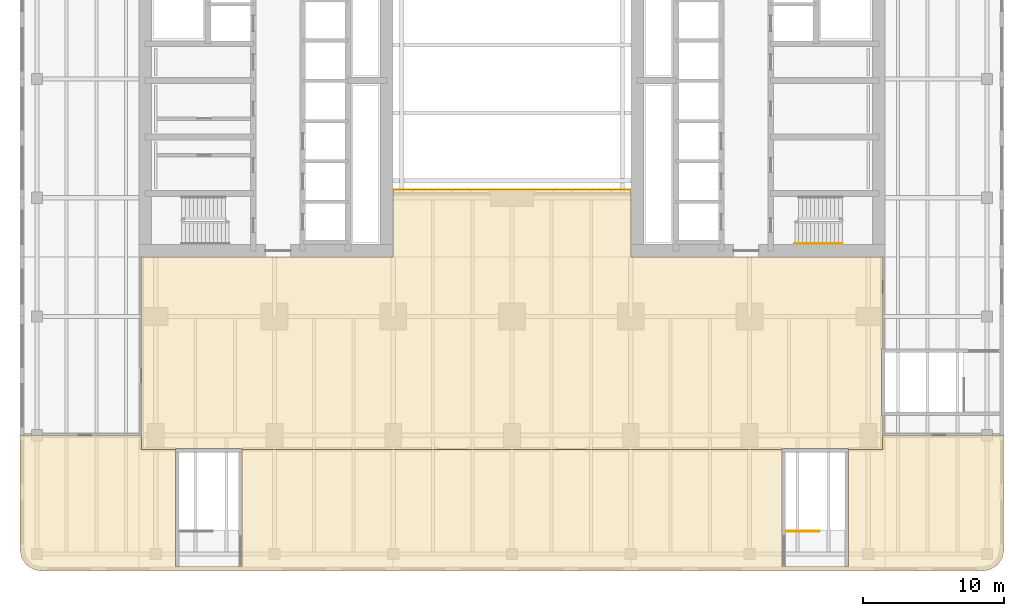
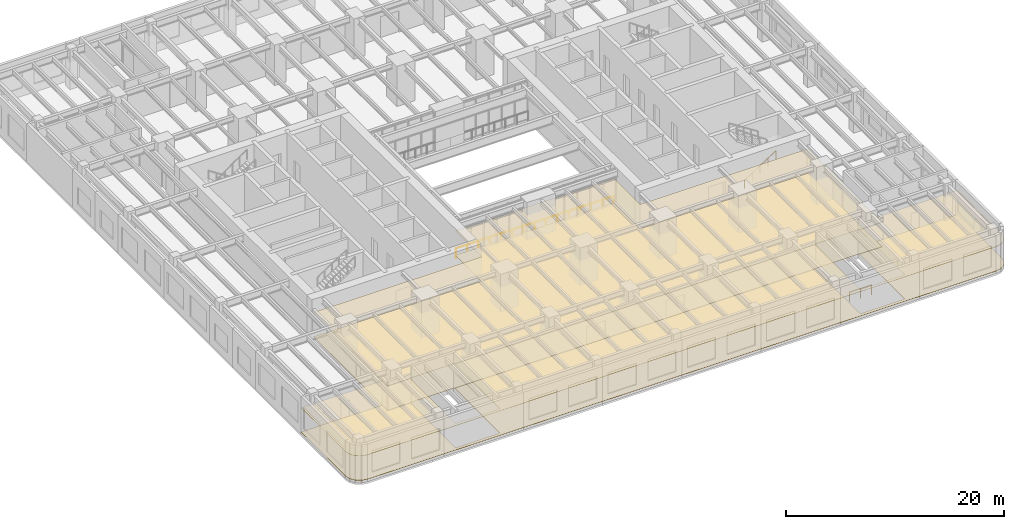
# One storey, part 17 of 22: 4 coverings, 3 railings.
"""IFC4 building model written with IfcOpenShell, lengths in metres."""

from ifc_helpers import new_model, si_unit, direction, frame, origin, origin_2d, place, context, subcontext, project, spatial, polyline, circle, outline, extrude, material, layer, layer_set, type_object, element, save


model = new_model("IFC4")

# Units and contexts
model_context = context("Model", 3, precision=1e-05, world=origin(), true_north=direction((0.0, 1.0)))
body_context = subcontext(model_context, "Body", "Model", "MODEL_VIEW")
ifc_project = project(units=[si_unit("LENGTHUNIT", "METRE"), si_unit("AREAUNIT", "SQUARE_METRE"), si_unit("VOLUMEUNIT", "CUBIC_METRE"), si_unit("PLANEANGLEUNIT", "RADIAN"), si_unit("MASSUNIT", "GRAM", prefix="KILO")], contexts=[model_context])

# Site, building, storey
site_placement = place(None, origin())
site = spatial("IfcSite", under=ifc_project, at=site_placement, CompositionType="ELEMENT")
building_placement = place(site_placement, origin())
building = spatial("IfcBuilding", under=site, at=building_placement, Name="Claustro Exchange Tower", CompositionType="ELEMENT")
storey_placement = place(building_placement, frame((0.0, 0.0, 14.39990234375)))
storey = spatial("IfcBuildingStorey", under=building, at=storey_placement, Name="L03", CompositionType="ELEMENT", Elevation=14.39990234375)

# Coverings
ifc_material_1 = material(Name="Perforated metal ceiling tiles", Category="steel")
ifc_layer_1 = layer(ifc_material_1, 0.030029296875)
ifc_layer_set_1 = layer_set([ifc_layer_1], Name="Perforated metal ceiling tiles")
covering_type_1 = type_object("IfcCoveringType", Name="CL1 suspended metal ceiling", PredefinedType="CEILING", material=ifc_layer_set_1)
covering_1_placement = place(storey_placement, frame((0.0, 0.0, 3.0)))
element("IfcCovering", 1, at=covering_1_placement, inside=storey, type_object=covering_type_1, Name="Ceiling CL1 L03-02", PredefinedType="CEILING", context=body_context, shape_type="SweptSolid", body=[
    extrude(outline(polyline([(59.8857421875, -8.674072265625), (60.0, -8.10009765625), (60.0, 0.0), (51.39990234375, 0.0), (51.39990234375, -1.0), (49.0, -1.0), (49.0, -9.280029296875), (44.300048828125, -9.280029296875), (44.300048828125, -1.0), (6.10009765625, -1.0), (6.10009765625, -9.280029296875), (1.39990234375, -9.280029296875), (1.39990234375, -1.0), (-1.0, -1.0), (-1.0, 0.0), (-9.60009765625, 0.0), (-9.60009765625, -8.10009765625), (-9.48583984375, -8.674072265625), (-9.16064453125, -9.16064453125), (-8.674072265625, -9.48583984375), (-8.10009765625, -9.60009765625), (58.5, -9.60009765625), (59.073974609375, -9.48583984375), (59.560791015625, -9.16064453125), (59.8857421875, -8.674072265625)])), origin(), (0.0, 0.0, 1.0), 0.030029296875),
])
covering_2_placement = place(storey_placement, frame((0.0, 0.0, 3.0)))
element("IfcCovering", 2, at=covering_2_placement, inside=storey, type_object=covering_type_1, Name="Ceiling CL1 L03-05", PredefinedType="CEILING", context=body_context, shape_type="SweptSolid", body=[
    extrude(outline(polyline([(16.800048828125, 17.39990234375), (16.800048828125, 12.60009765625), (-1.0, 12.60009765625), (-1.0, -1.0), (1.39990234375, -1.0), (1.39990234375, -0.949951171875), (6.10009765625, -0.949951171875), (6.10009765625, -1.0), (44.300048828125, -1.0), (44.300048828125, -0.949951171875), (49.0, -0.949951171875), (49.0, -1.0), (51.39990234375, -1.0), (51.39990234375, 1.39990234375), (51.35009765625, 1.39990234375), (51.35009765625, 6.10009765625), (51.39990234375, 6.10009765625), (51.39990234375, 12.60009765625), (33.60009765625, 12.60009765625), (33.60009765625, 17.39990234375), (16.800048828125, 17.39990234375)])), origin(), (0.0, 0.0, 1.0), 0.030029296875),
])

# Railings
ifc_material_2 = material(Name="Laminated glass, stainless steel rail", Category="steel")
railing_type_1 = type_object("IfcRailingType", Name="GR1 1100 glass balustrade guard", PredefinedType="BALUSTRADE", material=ifc_material_2)
railing_1_placement = place(storey_placement, frame((16.85009765625, 17.35009765625, 0.0)))
element("IfcRailing", 3, at=railing_1_placement, inside=storey, type_object=railing_type_1, Name="Atrium guard GR1 L03", PredefinedType="BALUSTRADE", context=body_context, shape_type="SweptSolid", body=[
    extrude(circle(Radius=0.02392578125, at=origin_2d()), frame((0.0, 0.0, 1.076171875), z_axis=(1.0, 0.0, 0.0), x_axis=(0.0, 1.0, 0.0)), (0.0, 0.0, 1.0), 16.699951171875),
    extrude(circle(Radius=0.02099609375, at=origin_2d()), origin(), (0.0, 0.0, 1.0), 1.052001953125),
    extrude(circle(Radius=0.02099609375, at=origin_2d()), frame((1.19287109375, 0.0, 0.0)), (0.0, 0.0, 1.0), 1.052001953125),
    extrude(circle(Radius=0.02099609375, at=origin_2d()), frame((2.3857421875, 0.0, 0.0)), (0.0, 0.0, 1.0), 1.052001953125),
    extrude(circle(Radius=0.02099609375, at=origin_2d()), frame((3.57861328125, 0.0, 0.0)), (0.0, 0.0, 1.0), 1.052001953125),
    extrude(circle(Radius=0.02099609375, at=origin_2d()), frame((4.771484375, 0.0, 0.0)), (0.0, 0.0, 1.0), 1.052001953125),
    extrude(circle(Radius=0.02099609375, at=origin_2d()), frame((5.96435546875, 0.0, 0.0)), (0.0, 0.0, 1.0), 1.052001953125),
    extrude(circle(Radius=0.02099609375, at=origin_2d()), frame((7.1572265625, 0.0, 0.0)), (0.0, 0.0, 1.0), 1.052001953125),
    extrude(circle(Radius=0.02099609375, at=origin_2d()), frame((8.35009765625, 0.0, 0.0)), (0.0, 0.0, 1.0), 1.052001953125),
    extrude(circle(Radius=0.02099609375, at=origin_2d()), frame((9.542724609375, 0.0, 0.0)), (0.0, 0.0, 1.0), 1.052001953125),
    extrude(circle(Radius=0.02099609375, at=origin_2d()), frame((10.735595703125, 0.0, 0.0)), (0.0, 0.0, 1.0), 1.052001953125),
    extrude(circle(Radius=0.02099609375, at=origin_2d()), frame((11.928466796875, 0.0, 0.0)), (0.0, 0.0, 1.0), 1.052001953125),
    extrude(circle(Radius=0.02099609375, at=origin_2d()), frame((13.121337890625, 0.0, 0.0)), (0.0, 0.0, 1.0), 1.052001953125),
    extrude(circle(Radius=0.02099609375, at=origin_2d()), frame((14.314208984375, 0.0, 0.0)), (0.0, 0.0, 1.0), 1.052001953125),
    extrude(circle(Radius=0.02099609375, at=origin_2d()), frame((15.507080078125, 0.0, 0.0)), (0.0, 0.0, 1.0), 1.052001953125),
    extrude(circle(Radius=0.02099609375, at=origin_2d()), frame((16.699951171875, 0.0, 0.0)), (0.0, 0.0, 1.0), 1.052001953125),
])
ifc_material_3 = material(Name="Steel balustrade, painted", Category="steel")
railing_type_2 = type_object("IfcRailingType", Name="GR2 1100 steel stair guard", PredefinedType="GUARDRAIL", material=ifc_material_3)
railing_2_placement = place(storey_placement, frame((44.610107421875, -6.780029296875, 0.0)))
element("IfcRailing", 4, at=railing_2_placement, inside=storey, type_object=railing_type_2, Name="Stair guard GR2 STP2 L03", PredefinedType="GUARDRAIL", context=body_context, shape_type="SweptSolid", body=[
    extrude(circle(Radius=0.02392578125, at=origin_2d()), frame((0.0, 0.0, 1.076171875), z_axis=(1.0, 0.0, 0.0), x_axis=(0.0, 1.0, 0.0)), (0.0, 0.0, 1.0), 2.31982421875),
    extrude(circle(Radius=0.02099609375, at=origin_2d()), origin(), (0.0, 0.0, 1.0), 1.052001953125),
    extrude(circle(Radius=0.02099609375, at=origin_2d()), frame((1.159912109375, 0.0, 0.0)), (0.0, 0.0, 1.0), 1.052001953125),
    extrude(circle(Radius=0.02099609375, at=origin_2d()), frame((2.31982421875, 0.0, 0.0)), (0.0, 0.0, 1.0), 1.052001953125),
])
ifc_material_4 = material(Name="Stainless steel tube", Category="steel")
railing_type_3 = type_object("IfcRailingType", Name="HR1 900 stair handrail", PredefinedType="HANDRAIL", material=ifc_material_4)
railing_3_placement = place(storey_placement, frame((45.199951171875, 13.56005859375, 0.18017578125)))
element("IfcRailing", 5, at=railing_3_placement, inside=storey, type_object=railing_type_3, Name="Handrail HR1 stair STEA L03", PredefinedType="HANDRAIL", context=body_context, shape_type="SweptSolid", body=[
    extrude(circle(Radius=0.02392578125, at=origin_2d()), frame((0.0, 0.0, 0.8759765625), z_axis=(0.84119634759, 0.0, 0.540729789082), x_axis=(0.0, 1.0, 0.0)), (0.0, 0.0, 1.0), 3.994384765625),
    extrude(circle(Radius=0.02099609375, at=origin_2d()), origin(), (0.0, 0.0, 1.0), 0.851806640625),
    extrude(circle(Radius=0.02099609375, at=origin_2d()), frame((0.840087890625, 0.0, 0.5400390625)), (0.0, 0.0, 1.0), 0.851806640625),
    extrude(circle(Radius=0.02099609375, at=origin_2d()), frame((1.68017578125, 0.0, 1.080078125)), (0.0, 0.0, 1.0), 0.851806640625),
    extrude(circle(Radius=0.02099609375, at=origin_2d()), frame((2.52001953125, 0.0, 1.619873046875)), (0.0, 0.0, 1.0), 0.851806640625),
    extrude(circle(Radius=0.02099609375, at=origin_2d()), frame((3.360107421875, 0.0, 2.159912109375)), (0.0, 0.0, 1.0), 0.851806640625),
])

# Coverings
ifc_material_5 = material(Name="Steel-encased raised floor panels on pedestals", Category="steel")
ifc_layer_2 = layer(ifc_material_5, 0.0400390625)
ifc_layer_set_2 = layer_set([ifc_layer_2], Name="Steel-encased raised floor panels on pedestals")
covering_type_2 = type_object("IfcCoveringType", Name="RF1 300 raised access floor", PredefinedType="FLOORING", material=ifc_layer_set_2)
covering_3_placement = place(storey_placement, frame((0.0, 0.0, 0.260009765625)))
element("IfcCovering", 6, at=covering_3_placement, inside=storey, type_object=covering_type_2, Name="Raised access floor RF1 L03-02", PredefinedType="FLOORING", context=body_context, shape_type="SweptSolid", body=[
    extrude(outline(polyline([(59.8857421875, -8.674072265625), (60.0, -8.10009765625), (60.0, 0.0), (51.39990234375, 0.0), (51.39990234375, -1.0), (49.0, -1.0), (49.0, -9.280029296875), (44.300048828125, -9.280029296875), (44.300048828125, -1.0), (6.10009765625, -1.0), (6.10009765625, -9.280029296875), (1.39990234375, -9.280029296875), (1.39990234375, -1.0), (-1.0, -1.0), (-1.0, 0.0), (-9.60009765625, 0.0), (-9.60009765625, -8.10009765625), (-9.48583984375, -8.674072265625), (-9.16064453125, -9.16064453125), (-8.674072265625, -9.48583984375), (-8.10009765625, -9.60009765625), (58.5, -9.60009765625), (59.073974609375, -9.48583984375), (59.560791015625, -9.16064453125), (59.8857421875, -8.674072265625)])), origin(), (0.0, 0.0, 1.0), 0.0400390625),
])
covering_4_placement = place(storey_placement, frame((0.0, 0.0, 0.260009765625)))
element("IfcCovering", 7, at=covering_4_placement, inside=storey, type_object=covering_type_2, Name="Raised access floor RF1 L03-05", PredefinedType="FLOORING", context=body_context, shape_type="SweptSolid", body=[
    extrude(outline(polyline([(16.800048828125, 17.39990234375), (16.800048828125, 12.60009765625), (-1.0, 12.60009765625), (-1.0, -1.0), (1.39990234375, -1.0), (1.39990234375, -0.949951171875), (6.10009765625, -0.949951171875), (6.10009765625, -1.0), (44.300048828125, -1.0), (44.300048828125, -0.949951171875), (49.0, -0.949951171875), (49.0, -1.0), (51.39990234375, -1.0), (51.39990234375, 1.39990234375), (51.35009765625, 1.39990234375), (51.35009765625, 6.10009765625), (51.39990234375, 6.10009765625), (51.39990234375, 12.60009765625), (33.60009765625, 12.60009765625), (33.60009765625, 17.39990234375), (16.800048828125, 17.39990234375)])), origin(), (0.0, 0.0, 1.0), 0.0400390625),
])

save(model, "model.ifc")
